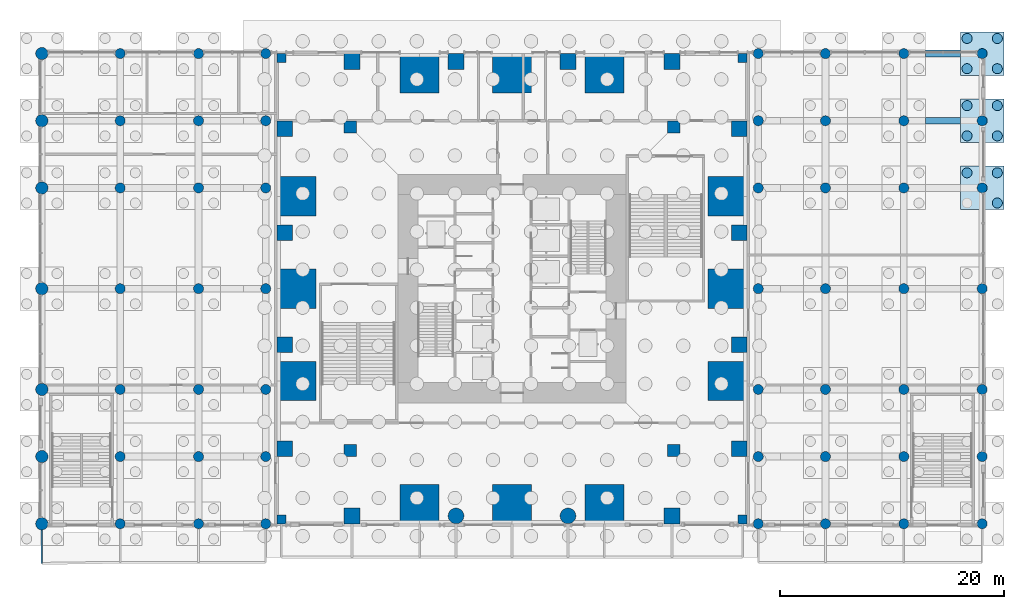
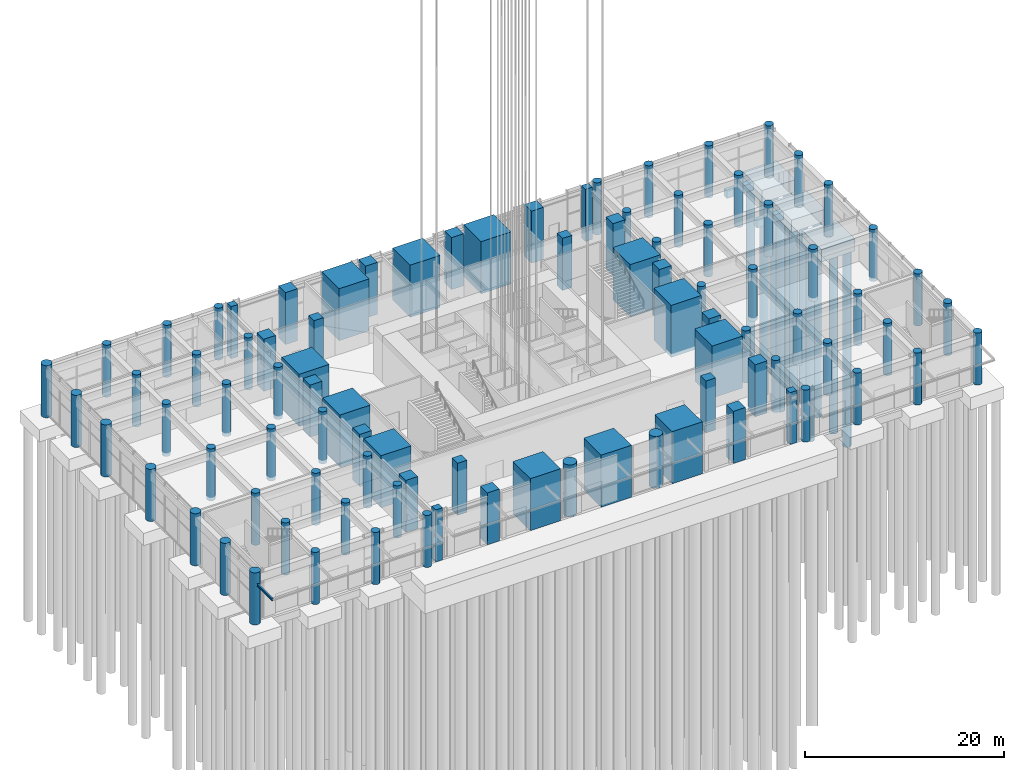
# One storey, part 3 of 46: 92 columns, 11 piles, 5 footings, 1 beam.
"""IFC4 building model written with IfcOpenShell, lengths in metres."""

from ifc_helpers import new_model, si_unit, direction, frame, frame_2d, origin, origin_2d, place, context, subcontext, project, spatial, rectangle, circle, i_section, extrude, material, material_profile, profile_set, type_object, element, save


model = new_model("IFC4")

# Units and contexts
model_context = context("Model", 3, precision=1e-05, world=origin(), true_north=direction((0.0, 1.0)))
body_context = subcontext(model_context, "Body", "Model", "MODEL_VIEW")
ifc_project = project(units=[si_unit("LENGTHUNIT", "METRE"), si_unit("AREAUNIT", "SQUARE_METRE"), si_unit("VOLUMEUNIT", "CUBIC_METRE"), si_unit("PLANEANGLEUNIT", "RADIAN"), si_unit("MASSUNIT", "GRAM", prefix="KILO")], contexts=[model_context])

# Site, building, storey
site_placement = place(None, origin())
site = spatial("IfcSite", under=ifc_project, at=site_placement, CompositionType="ELEMENT")
building_placement = place(site_placement, origin())
building = spatial("IfcBuilding", under=site, at=building_placement, Name="Svetlomir Tower", CompositionType="ELEMENT")
storey_placement = place(building_placement, origin())
storey = spatial("IfcBuildingStorey", under=building, at=storey_placement, Name="L00", CompositionType="ELEMENT", Elevation=0.0)

# Piles
ifc_material_1 = material(Name="Concrete C30/37", Category="concrete")
ifc_material_profile_1 = material_profile(ifc_material_1, circle(Radius=0.449951171875, at=origin_2d()), Name="RC D900")
ifc_profile_set_1 = profile_set([ifc_material_profile_1], Name="Concrete C30/37")
pile_type = type_object("IfcPileType", Name="BORED PILE D900", PredefinedType="BORED", material=ifc_profile_set_1)
for number, where, z_axis, x_axis, name in (
    (1, (64.35009765625, 28.64990234375, -1.89990234375), (0.0, 0.0, -1.0), (1.0, 0.0, 0.0), "Cap pile 63/30-2"),
    (2, (61.64990234375, 31.35009765625, -1.89990234375), (0.0, 0.0, -1.0), (1.0, 0.0, 0.0), "Cap pile 63/30-3"),
    (3, (64.35009765625, 31.35009765625, -1.89990234375), (0.0, 0.0, -1.0), (1.0, 0.0, 0.0), "Cap pile 63/30-4"),
    (4, (61.64990234375, 34.64990234375, -1.89990234375), (0.0, 0.0, -1.0), (1.0, 0.0, 0.0), "Cap pile 63/36-1"),
    (5, (64.35009765625, 34.64990234375, -1.89990234375), (0.0, 0.0, -1.0), (1.0, 0.0, 0.0), "Cap pile 63/36-2"),
    (6, (61.64990234375, 37.35009765625, -1.89990234375), (0.0, 0.0, -1.0), (1.0, 0.0, 0.0), "Cap pile 63/36-3"),
    (7, (64.35009765625, 37.35009765625, -1.89990234375), (0.0, 0.0, -1.0), (1.0, 0.0, 0.0), "Cap pile 63/36-4"),
    (8, (61.64990234375, 40.64990234375, -1.89990234375), (0.0, 0.0, -1.0), (1.0, 0.0, 0.0), "Cap pile 63/42-1"),
    (9, (64.35009765625, 40.64990234375, -1.89990234375), (0.0, 0.0, -1.0), (1.0, 0.0, 0.0), "Cap pile 63/42-2"),
    (10, (61.64990234375, 43.35009765625, -1.89990234375), (0.0, 0.0, -1.0), (1.0, 0.0, 0.0), "Cap pile 63/42-3"),
    (11, (64.35009765625, 43.35009765625, -1.89990234375), (0.0, 0.0, -1.0), (1.0, 0.0, 0.0), "Cap pile 63/42-4"),
):
    element("IfcPile", number, at=place(storey_placement, frame(where, z_axis=z_axis, x_axis=x_axis)), inside=storey, type_object=pile_type, Name=name, PredefinedType="BORED", context=body_context, shape_type="SweptSolid", body=[
        extrude(circle(Radius=0.449951171875, at=frame_2d((0.0, 0.0), x_axis=(0.999847695156, 0.017452406437))), origin(), (0.0, 0.0, 1.0), 24.0),
    ])

# Footings
ifc_material_2 = material(Name="Concrete C35/45", Category="concrete")
footing_type_1 = type_object("IfcFootingType", Name="GROUND BEAM 600x900", PredefinedType="FOOTING_BEAM", material=ifc_material_2)
for number, where, z_axis, x_axis, name in (
    (12, (59.5, 36.0, -1.300048828125), (0.0, 0.0, 1.0), (1.0, 0.0, 0.0), "Ground beam 57.95 to 61.05 on 36"),
    (13, (59.5, 42.0, -1.300048828125), (0.0, 0.0, 1.0), (1.0, 0.0, 0.0), "Ground beam 57.95 to 61.05 on 42"),
):
    element("IfcFooting", number, at=place(storey_placement, frame(where, z_axis=z_axis, x_axis=x_axis)), inside=storey, type_object=footing_type_1, Name=name, PredefinedType="FOOTING_BEAM", context=body_context, shape_type="SweptSolid", body=[
        extrude(rectangle(XDim=3.10009765625, YDim=0.60009765625, at=origin_2d()), origin(), (0.0, 0.0, 1.0), 0.89990234375),
    ])
ifc_material_3 = material(Name="Concrete C35/45", Category="concrete")
footing_type_2 = type_object("IfcFootingType", Name="PILE CAP 3900x3900x1500", PredefinedType="PILE_CAP", material=ifc_material_3)
for number, where, z_axis, x_axis, name in (
    (14, (63.0, 30.0, -1.89990234375), (0.0, 0.0, 1.0), (1.0, 0.0, 0.0), "Pile cap 63/30"),
    (15, (63.0, 36.0, -1.89990234375), (0.0, 0.0, 1.0), (1.0, 0.0, 0.0), "Pile cap 63/36"),
    (16, (63.0, 42.0, -1.89990234375), (0.0, 0.0, 1.0), (1.0, 0.0, 0.0), "Pile cap 63/42"),
):
    element("IfcFooting", number, at=place(storey_placement, frame(where, z_axis=z_axis, x_axis=x_axis)), inside=storey, type_object=footing_type_2, Name=name, PredefinedType="PILE_CAP", context=body_context, shape_type="SweptSolid", body=[
        extrude(rectangle(XDim=3.89990234375, YDim=3.89990234375, at=origin_2d()), origin(), (0.0, 0.0, 1.0), 1.5),
    ])

# Columns
ifc_material_4 = material(Name="Concrete C60/75", Category="concrete")
ifc_material_profile_2 = material_profile(ifc_material_4, rectangle(XDim=1.10009765625, YDim=1.10009765625, at=origin_2d()), Name="RC 1100x1100")
ifc_profile_set_2 = profile_set([ifc_material_profile_2], Name="Concrete C60/75")
column_type_1 = type_object("IfcColumnType", Name="COLUMN RC 1100x1100", PredefinedType="COLUMN", material=ifc_profile_set_2)
for number, where, z_axis, x_axis, name in (
    (17, (6.550048828125, 6.550048828125, -0.39990234375), (0.0, 0.0, 1.0), (1.0, 0.0, 0.0), "Column 6/6 L00"),
    (18, (35.449951171875, 6.550048828125, -0.39990234375), (0.0, 0.0, 1.0), (1.0, 0.0, 0.0), "Column 36/6 L00"),
    (19, (6.550048828125, 35.449951171875, -0.39990234375), (0.0, 0.0, 1.0), (1.0, 0.0, 0.0), "Column 6/36 L00"),
    (20, (35.449951171875, 35.449951171875, -0.39990234375), (0.0, 0.0, 1.0), (1.0, 0.0, 0.0), "Column 36/36 L00"),
):
    element("IfcColumn", number, at=place(storey_placement, frame(where, z_axis=z_axis, x_axis=x_axis)), inside=storey, type_object=column_type_1, Name=name, PredefinedType="COLUMN", context=body_context, shape_type="SweptSolid", body=[
        extrude(rectangle(XDim=1.10009765625, YDim=1.10009765625, at=origin_2d()), origin(), (0.0, 0.0, 1.0), 6.39990234375),
    ])
ifc_material_5 = material(Name="Concrete C60/75", Category="concrete")
ifc_material_profile_3 = material_profile(ifc_material_5, rectangle(XDim=1.39990234375, YDim=1.39990234375, at=origin_2d()), Name="RC 1400x1400")
ifc_profile_set_3 = profile_set([ifc_material_profile_3], Name="Concrete C60/75")
column_type_2 = type_object("IfcColumnType", Name="COLUMN RC 1400x1400", PredefinedType="COLUMN", material=ifc_profile_set_3)
for number, where, z_axis, x_axis, name in (
    (21, (6.699951171875, 0.699951171875, -0.39990234375), (0.0, 0.0, 1.0), (1.0, 0.0, 0.0), "Column 6/0 L00"),
    (22, (35.300048828125, 0.699951171875, -0.39990234375), (0.0, 0.0, 1.0), (1.0, 0.0, 0.0), "Column 36/0 L00"),
    (23, (0.699951171875, 6.699951171875, -0.39990234375), (0.0, 0.0, 1.0), (1.0, 0.0, 0.0), "Column 0/6 L00"),
    (24, (41.300048828125, 6.699951171875, -0.39990234375), (0.0, 0.0, 1.0), (1.0, 0.0, 0.0), "Column 42/6 L00"),
    (25, (0.699951171875, 16.0, -0.39990234375), (0.0, 0.0, 1.0), (1.0, 0.0, 0.0), "Column 0/16 L00"),
    (26, (41.300048828125, 16.0, -0.39990234375), (0.0, 0.0, 1.0), (1.0, 0.0, 0.0), "Column 42/16 L00"),
    (27, (0.699951171875, 26.0, -0.39990234375), (0.0, 0.0, 1.0), (1.0, 0.0, 0.0), "Column 0/26 L00"),
    (28, (41.300048828125, 26.0, -0.39990234375), (0.0, 0.0, 1.0), (1.0, 0.0, 0.0), "Column 42/26 L00"),
    (29, (0.699951171875, 35.300048828125, -0.39990234375), (0.0, 0.0, 1.0), (1.0, 0.0, 0.0), "Column 0/36 L00"),
    (30, (41.300048828125, 35.300048828125, -0.39990234375), (0.0, 0.0, 1.0), (1.0, 0.0, 0.0), "Column 42/36 L00"),
    (31, (6.699951171875, 41.300048828125, -0.39990234375), (0.0, 0.0, 1.0), (1.0, 0.0, 0.0), "Column 6/42 L00"),
    (32, (16.0, 41.300048828125, -0.39990234375), (0.0, 0.0, 1.0), (1.0, 0.0, 0.0), "Column 16/42 L00"),
    (33, (26.0, 41.300048828125, -0.39990234375), (0.0, 0.0, 1.0), (1.0, 0.0, 0.0), "Column 26/42 L00"),
    (34, (35.300048828125, 41.300048828125, -0.39990234375), (0.0, 0.0, 1.0), (1.0, 0.0, 0.0), "Column 36/42 L00"),
):
    element("IfcColumn", number, at=place(storey_placement, frame(where, z_axis=z_axis, x_axis=x_axis)), inside=storey, type_object=column_type_2, Name=name, PredefinedType="COLUMN", context=body_context, shape_type="SweptSolid", body=[
        extrude(rectangle(XDim=1.39990234375, YDim=1.39990234375, at=origin_2d()), origin(), (0.0, 0.0, 1.0), 6.39990234375),
    ])
ifc_material_6 = material(Name="Concrete C60/75", Category="concrete")
ifc_material_profile_4 = material_profile(ifc_material_6, rectangle(XDim=3.5, YDim=3.5, at=origin_2d()), Name="RC 3500x3500")
ifc_profile_set_4 = profile_set([ifc_material_profile_4], Name="Concrete C60/75")
column_type_3 = type_object("IfcColumnType", Name="COLUMN RC 3500x3500", PredefinedType="COLUMN", material=ifc_profile_set_4)
for number, where, z_axis, x_axis, name in (
    (35, (12.75, 1.75, -0.39990234375), (0.0, 0.0, 1.0), (1.0, 0.0, 0.0), "Column 11/0 L00"),
    (36, (21.0, 1.75, -0.39990234375), (0.0, 0.0, 1.0), (1.0, 0.0, 0.0), "Column 21/0 L00"),
    (37, (29.25, 1.75, -0.39990234375), (0.0, 0.0, 1.0), (1.0, 0.0, 0.0), "Column 31/0 L00"),
    (38, (1.75, 12.75, -0.39990234375), (0.0, 0.0, 1.0), (1.0, 0.0, 0.0), "Column 0/11 L00"),
    (39, (40.25, 12.75, -0.39990234375), (0.0, 0.0, 1.0), (1.0, 0.0, 0.0), "Column 42/11 L00"),
    (40, (1.75, 21.0, -0.39990234375), (0.0, 0.0, 1.0), (1.0, 0.0, 0.0), "Column 0/21 L00"),
    (41, (40.25, 21.0, -0.39990234375), (0.0, 0.0, 1.0), (1.0, 0.0, 0.0), "Column 42/21 L00"),
    (42, (1.75, 29.25, -0.39990234375), (0.0, 0.0, 1.0), (1.0, 0.0, 0.0), "Column 0/31 L00"),
    (43, (40.25, 29.25, -0.39990234375), (0.0, 0.0, 1.0), (1.0, 0.0, 0.0), "Column 42/31 L00"),
    (44, (12.75, 40.25, -0.39990234375), (0.0, 0.0, 1.0), (1.0, 0.0, 0.0), "Column 11/42 L00"),
    (45, (21.0, 40.25, -0.39990234375), (0.0, 0.0, 1.0), (1.0, 0.0, 0.0), "Column 21/42 L00"),
    (46, (29.25, 40.25, -0.39990234375), (0.0, 0.0, 1.0), (1.0, 0.0, 0.0), "Column 31/42 L00"),
):
    element("IfcColumn", number, at=place(storey_placement, frame(where, z_axis=z_axis, x_axis=x_axis)), inside=storey, type_object=column_type_3, Name=name, PredefinedType="COLUMN", context=body_context, shape_type="SweptSolid", body=[
        extrude(rectangle(XDim=3.5, YDim=3.5, at=origin_2d()), origin(), (0.0, 0.0, 1.0), 6.39990234375),
    ])
ifc_material_7 = material(Name="Concrete C60/75", Category="concrete")
ifc_material_profile_5 = material_profile(ifc_material_7, rectangle(XDim=0.800048828125, YDim=0.800048828125, at=origin_2d()), Name="RC 800x800")
ifc_profile_set_5 = profile_set([ifc_material_profile_5], Name="Concrete C60/75")
column_type_4 = type_object("IfcColumnType", Name="COLUMN RC 800x800", PredefinedType="COLUMN", material=ifc_profile_set_5)
for number, where, z_axis, x_axis, name in (
    (47, (0.39990234375, 0.39990234375, -0.39990234375), (0.0, 0.0, 1.0), (1.0, 0.0, 0.0), "Column 0/0 L00"),
    (48, (41.60009765625, 0.39990234375, -0.39990234375), (0.0, 0.0, 1.0), (1.0, 0.0, 0.0), "Column 42/0 L00"),
    (49, (0.39990234375, 41.60009765625, -0.39990234375), (0.0, 0.0, 1.0), (1.0, 0.0, 0.0), "Column 0/42 L00"),
    (50, (41.60009765625, 41.60009765625, -0.39990234375), (0.0, 0.0, 1.0), (1.0, 0.0, 0.0), "Column 42/42 L00"),
):
    element("IfcColumn", number, at=place(storey_placement, frame(where, z_axis=z_axis, x_axis=x_axis)), inside=storey, type_object=column_type_4, Name=name, PredefinedType="COLUMN", context=body_context, shape_type="SweptSolid", body=[
        extrude(rectangle(XDim=0.800048828125, YDim=0.800048828125, at=origin_2d()), origin(), (0.0, 0.0, 1.0), 6.39990234375),
    ])
ifc_material_8 = material(Name="Concrete C60/75", Category="concrete")
ifc_material_profile_6 = material_profile(ifc_material_8, circle(Radius=0.550048828125, at=origin_2d()), Name="RC D1100")
ifc_profile_set_6 = profile_set([ifc_material_profile_6], Name="Concrete C60/75")
column_type_5 = type_object("IfcColumnType", Name="COLUMN RC D1100", PredefinedType="COLUMN", material=ifc_profile_set_6)
for number, where, z_axis, x_axis, name in (
    (51, (-21.0, 0.0, -0.39990234375), (0.0, 0.0, 1.0), (1.0, 0.0, 0.0), "Column -21/0 L00"),
    (52, (-21.0, 6.0, -0.39990234375), (0.0, 0.0, 1.0), (1.0, 0.0, 0.0), "Column -21/6 L00"),
    (53, (-21.0, 12.0, -0.39990234375), (0.0, 0.0, 1.0), (1.0, 0.0, 0.0), "Column -21/12 L00"),
    (54, (-21.0, 21.0, -0.39990234375), (0.0, 0.0, 1.0), (1.0, 0.0, 0.0), "Column -21/21 L00"),
    (55, (-21.0, 30.0, -0.39990234375), (0.0, 0.0, 1.0), (1.0, 0.0, 0.0), "Column -21/30 L00"),
    (56, (-21.0, 36.0, -0.39990234375), (0.0, 0.0, 1.0), (1.0, 0.0, 0.0), "Column -21/36 L00"),
    (57, (-21.0, 42.0, -0.39990234375), (0.0, 0.0, 1.0), (1.0, 0.0, 0.0), "Column -21/42 L00"),
):
    element("IfcColumn", number, at=place(storey_placement, frame(where, z_axis=z_axis, x_axis=x_axis)), inside=storey, type_object=column_type_5, Name=name, PredefinedType="COLUMN", context=body_context, shape_type="SweptSolid", body=[
        extrude(circle(Radius=0.550048828125, at=origin_2d()), origin(), (0.0, 0.0, 1.0), 6.39990234375),
    ])
ifc_material_9 = material(Name="Concrete C60/75", Category="concrete")
ifc_material_profile_7 = material_profile(ifc_material_9, circle(Radius=0.699951171875, at=origin_2d()), Name="RC D1400")
ifc_profile_set_7 = profile_set([ifc_material_profile_7], Name="Concrete C60/75")
column_type_6 = type_object("IfcColumnType", Name="COLUMN RC D1400", PredefinedType="COLUMN", material=ifc_profile_set_7)
for number, where, z_axis, x_axis, name in (
    (58, (16.0, 0.699951171875, -0.39990234375), (0.0, 0.0, 1.0), (1.0, 0.0, 0.0), "Column 16/0 L00"),
    (59, (26.0, 0.699951171875, -0.39990234375), (0.0, 0.0, 1.0), (1.0, 0.0, 0.0), "Column 26/0 L00"),
):
    element("IfcColumn", number, at=place(storey_placement, frame(where, z_axis=z_axis, x_axis=x_axis)), inside=storey, type_object=column_type_6, Name=name, PredefinedType="COLUMN", context=body_context, shape_type="SweptSolid", body=[
        extrude(circle(Radius=0.699951171875, at=origin_2d()), origin(), (0.0, 0.0, 1.0), 6.39990234375),
    ])
ifc_material_10 = material(Name="Concrete C60/75", Category="concrete")
ifc_material_profile_8 = material_profile(ifc_material_10, circle(Radius=0.449951171875, at=origin_2d()), Name="RC D900")
ifc_profile_set_8 = profile_set([ifc_material_profile_8], Name="Concrete C60/75")
column_type_7 = type_object("IfcColumnType", Name="COLUMN RC D900", PredefinedType="COLUMN", material=ifc_profile_set_8)
for number, where, z_axis, x_axis, name in (
    (60, (-14.0, 0.0, -0.39990234375), (0.0, 0.0, 1.0), (1.0, 0.0, 0.0), "Column -14/0 L00"),
    (61, (-7.0, 0.0, -0.39990234375), (0.0, 0.0, 1.0), (1.0, 0.0, 0.0), "Column -7/0 L00"),
    (62, (-1.0, 0.0, -0.39990234375), (0.0, 0.0, 1.0), (1.0, 0.0, 0.0), "Column -1/0 L00"),
    (63, (43.0, 0.0, -0.39990234375), (0.0, 0.0, 1.0), (1.0, 0.0, 0.0), "Column 43/0 L00"),
    (64, (49.0, 0.0, -0.39990234375), (0.0, 0.0, 1.0), (1.0, 0.0, 0.0), "Column 49/0 L00"),
    (65, (56.0, 0.0, -0.39990234375), (0.0, 0.0, 1.0), (1.0, 0.0, 0.0), "Column 56/0 L00"),
    (66, (63.0, 0.0, -0.39990234375), (0.0, 0.0, 1.0), (1.0, 0.0, 0.0), "Column 63/0 L00"),
    (67, (-14.0, 6.0, -0.39990234375), (0.0, 0.0, 1.0), (1.0, 0.0, 0.0), "Column -14/6 L00"),
    (68, (-7.0, 6.0, -0.39990234375), (0.0, 0.0, 1.0), (1.0, 0.0, 0.0), "Column -7/6 L00"),
    (69, (-1.0, 6.0, -0.39990234375), (0.0, 0.0, 1.0), (1.0, 0.0, 0.0), "Column -1/6 L00"),
    (70, (43.0, 6.0, -0.39990234375), (0.0, 0.0, 1.0), (1.0, 0.0, 0.0), "Column 43/6 L00"),
    (71, (49.0, 6.0, -0.39990234375), (0.0, 0.0, 1.0), (1.0, 0.0, 0.0), "Column 49/6 L00"),
    (72, (56.0, 6.0, -0.39990234375), (0.0, 0.0, 1.0), (1.0, 0.0, 0.0), "Column 56/6 L00"),
    (73, (63.0, 6.0, -0.39990234375), (0.0, 0.0, 1.0), (1.0, 0.0, 0.0), "Column 63/6 L00"),
    (74, (-14.0, 12.0, -0.39990234375), (0.0, 0.0, 1.0), (1.0, 0.0, 0.0), "Column -14/12 L00"),
    (75, (-7.0, 12.0, -0.39990234375), (0.0, 0.0, 1.0), (1.0, 0.0, 0.0), "Column -7/12 L00"),
    (76, (-1.0, 12.0, -0.39990234375), (0.0, 0.0, 1.0), (1.0, 0.0, 0.0), "Column -1/12 L00"),
    (77, (43.0, 12.0, -0.39990234375), (0.0, 0.0, 1.0), (1.0, 0.0, 0.0), "Column 43/12 L00"),
    (78, (49.0, 12.0, -0.39990234375), (0.0, 0.0, 1.0), (1.0, 0.0, 0.0), "Column 49/12 L00"),
    (79, (56.0, 12.0, -0.39990234375), (0.0, 0.0, 1.0), (1.0, 0.0, 0.0), "Column 56/12 L00"),
    (80, (63.0, 12.0, -0.39990234375), (0.0, 0.0, 1.0), (1.0, 0.0, 0.0), "Column 63/12 L00"),
    (81, (-14.0, 21.0, -0.39990234375), (0.0, 0.0, 1.0), (1.0, 0.0, 0.0), "Column -14/21 L00"),
    (82, (-7.0, 21.0, -0.39990234375), (0.0, 0.0, 1.0), (1.0, 0.0, 0.0), "Column -7/21 L00"),
    (83, (-1.0, 21.0, -0.39990234375), (0.0, 0.0, 1.0), (1.0, 0.0, 0.0), "Column -1/21 L00"),
    (84, (43.0, 21.0, -0.39990234375), (0.0, 0.0, 1.0), (1.0, 0.0, 0.0), "Column 43/21 L00"),
    (85, (49.0, 21.0, -0.39990234375), (0.0, 0.0, 1.0), (1.0, 0.0, 0.0), "Column 49/21 L00"),
    (86, (56.0, 21.0, -0.39990234375), (0.0, 0.0, 1.0), (1.0, 0.0, 0.0), "Column 56/21 L00"),
    (87, (63.0, 21.0, -0.39990234375), (0.0, 0.0, 1.0), (1.0, 0.0, 0.0), "Column 63/21 L00"),
    (88, (-14.0, 30.0, -0.39990234375), (0.0, 0.0, 1.0), (1.0, 0.0, 0.0), "Column -14/30 L00"),
    (89, (-7.0, 30.0, -0.39990234375), (0.0, 0.0, 1.0), (1.0, 0.0, 0.0), "Column -7/30 L00"),
    (90, (-1.0, 30.0, -0.39990234375), (0.0, 0.0, 1.0), (1.0, 0.0, 0.0), "Column -1/30 L00"),
    (91, (43.0, 30.0, -0.39990234375), (0.0, 0.0, 1.0), (1.0, 0.0, 0.0), "Column 43/30 L00"),
    (92, (49.0, 30.0, -0.39990234375), (0.0, 0.0, 1.0), (1.0, 0.0, 0.0), "Column 49/30 L00"),
    (93, (56.0, 30.0, -0.39990234375), (0.0, 0.0, 1.0), (1.0, 0.0, 0.0), "Column 56/30 L00"),
    (94, (63.0, 30.0, -0.39990234375), (0.0, 0.0, 1.0), (1.0, 0.0, 0.0), "Column 63/30 L00"),
    (95, (-14.0, 36.0, -0.39990234375), (0.0, 0.0, 1.0), (1.0, 0.0, 0.0), "Column -14/36 L00"),
    (96, (-7.0, 36.0, -0.39990234375), (0.0, 0.0, 1.0), (1.0, 0.0, 0.0), "Column -7/36 L00"),
    (97, (-1.0, 36.0, -0.39990234375), (0.0, 0.0, 1.0), (1.0, 0.0, 0.0), "Column -1/36 L00"),
    (98, (43.0, 36.0, -0.39990234375), (0.0, 0.0, 1.0), (1.0, 0.0, 0.0), "Column 43/36 L00"),
    (99, (49.0, 36.0, -0.39990234375), (0.0, 0.0, 1.0), (1.0, 0.0, 0.0), "Column 49/36 L00"),
    (100, (56.0, 36.0, -0.39990234375), (0.0, 0.0, 1.0), (1.0, 0.0, 0.0), "Column 56/36 L00"),
    (101, (63.0, 36.0, -0.39990234375), (0.0, 0.0, 1.0), (1.0, 0.0, 0.0), "Column 63/36 L00"),
    (102, (-14.0, 42.0, -0.39990234375), (0.0, 0.0, 1.0), (1.0, 0.0, 0.0), "Column -14/42 L00"),
    (103, (-7.0, 42.0, -0.39990234375), (0.0, 0.0, 1.0), (1.0, 0.0, 0.0), "Column -7/42 L00"),
    (104, (-1.0, 42.0, -0.39990234375), (0.0, 0.0, 1.0), (1.0, 0.0, 0.0), "Column -1/42 L00"),
    (105, (43.0, 42.0, -0.39990234375), (0.0, 0.0, 1.0), (1.0, 0.0, 0.0), "Column 43/42 L00"),
    (106, (49.0, 42.0, -0.39990234375), (0.0, 0.0, 1.0), (1.0, 0.0, 0.0), "Column 49/42 L00"),
    (107, (56.0, 42.0, -0.39990234375), (0.0, 0.0, 1.0), (1.0, 0.0, 0.0), "Column 56/42 L00"),
    (108, (63.0, 42.0, -0.39990234375), (0.0, 0.0, 1.0), (1.0, 0.0, 0.0), "Column 63/42 L00"),
):
    element("IfcColumn", number, at=place(storey_placement, frame(where, z_axis=z_axis, x_axis=x_axis)), inside=storey, type_object=column_type_7, Name=name, PredefinedType="COLUMN", context=body_context, shape_type="SweptSolid", body=[
        extrude(circle(Radius=0.449951171875, at=origin_2d()), origin(), (0.0, 0.0, 1.0), 6.39990234375),
    ])

# Beam
ifc_material_11 = material(Name="Steel S355", Category="steel")
ifc_material_profile_9 = material_profile(ifc_material_11, i_section(OverallWidth=0.14990234375, OverallDepth=0.300048828125, WebThickness=0.007080078125, FlangeThickness=0.0107421875, FilletRadius=0.014892578125, at=origin_2d()), Name="IPE 300")
ifc_profile_set_9 = profile_set([ifc_material_profile_9], Name="Steel S355")
beam_type = type_object("IfcBeamType", Name="CANOPY CANTILEVER IPE 300", PredefinedType="BEAM", material=ifc_profile_set_9)
beam_placement = place(storey_placement, frame((-21.0, -0.550048828125, 4.5), z_axis=(0.0, -1.0, 0.0), x_axis=(1.0, 0.0, 0.0)))
element("IfcBeam", 109, at=beam_placement, inside=storey, type_object=beam_type, Name="Canopy cantilever -21", PredefinedType="BEAM", context=body_context, shape_type="SweptSolid", body=[
    extrude(i_section(OverallWidth=0.14990234375, OverallDepth=0.300048828125, WebThickness=0.007080078125, FlangeThickness=0.0107421875, FilletRadius=0.014892578125, at=origin_2d()), origin(), (0.0, 0.0, 1.0), 3.0),
])

save(model, "model.ifc")
